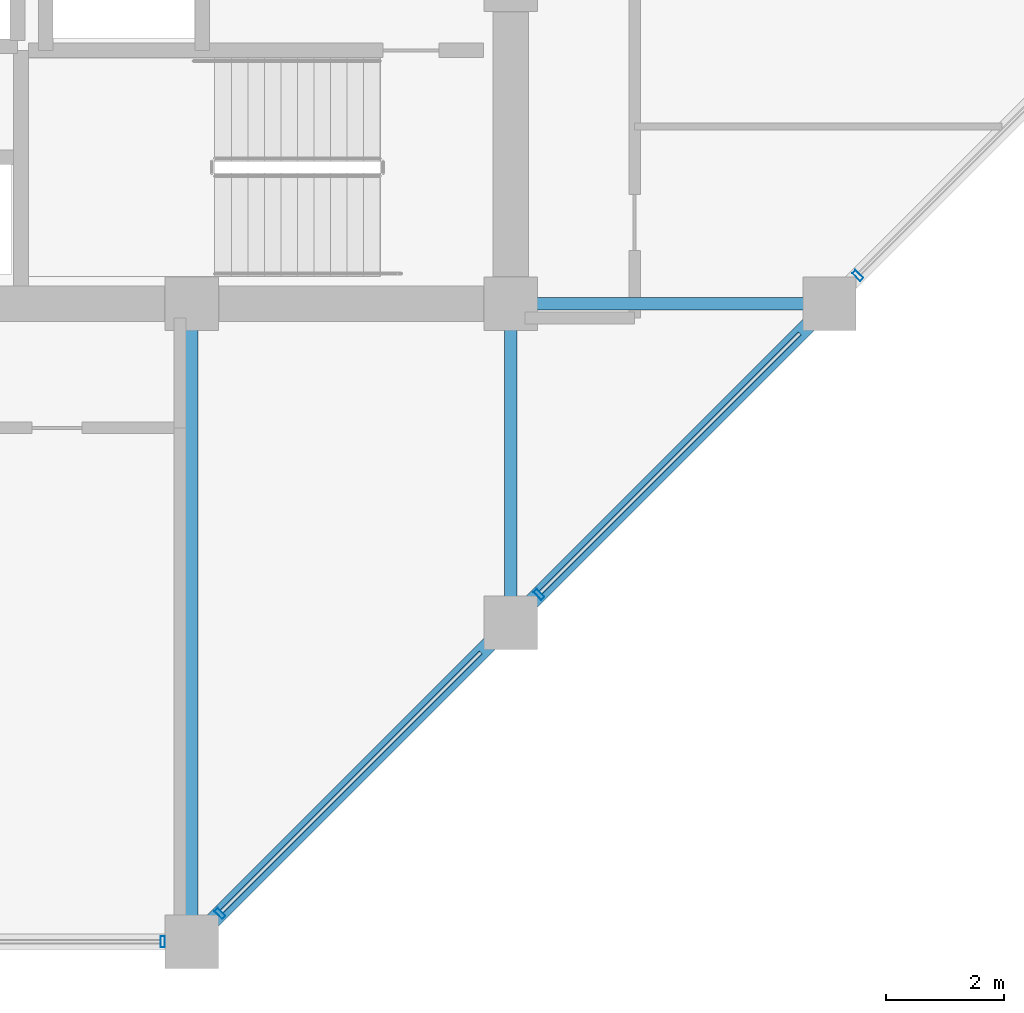
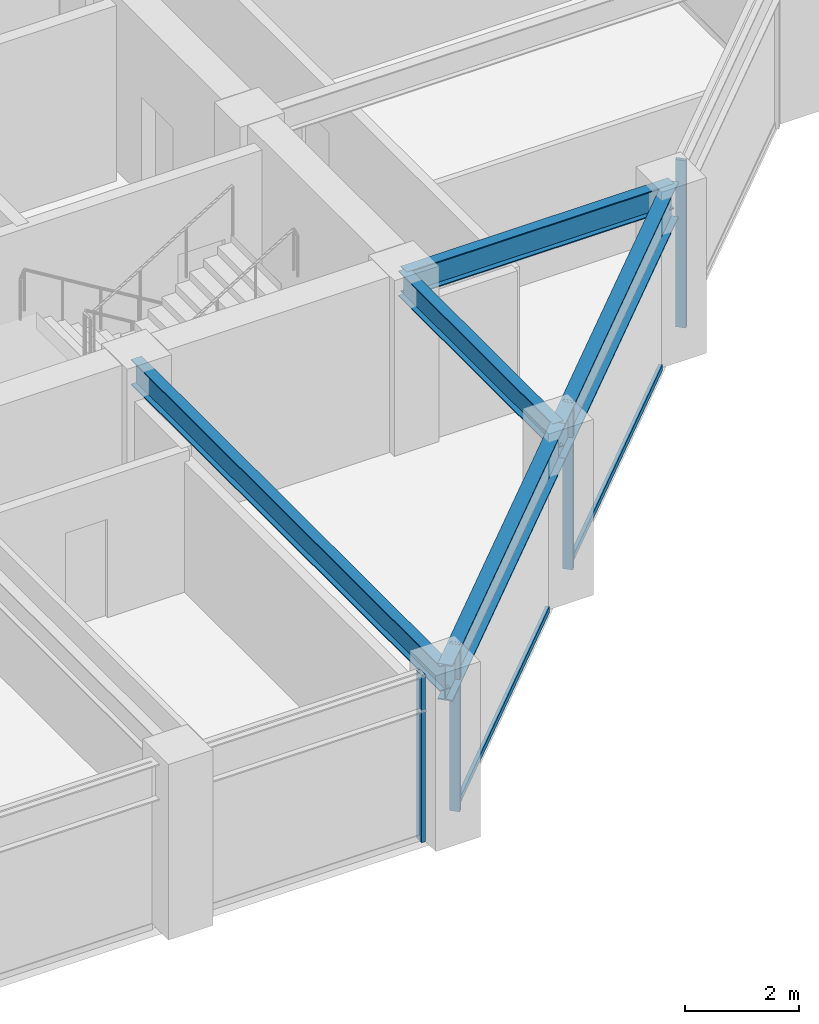
# One storey, part 12 of 32: 6 members, 5 beams, 2 elements without a shape of their own.
"""IFC4 building model written with IfcOpenShell, lengths in metres."""

import ifcopenshell
import ifcopenshell.guid

model = None  # the IFC model being written
_history = None  # IfcOwnerHistory: only IFC2X3 demands one
_inside = {}  # id of a spatial element -> (the spatial element, [elements in it])
_under = {}  # id of a project, library or spatial element -> (it, [spatial elements below it])
_declared = {}  # id of a project -> (the project, [libraries it declares])
_typed = {}  # id of a type object -> (the type object, [elements of that type])
_made_of = {}  # id of a material, layer set ... -> (it, [elements and type objects made of it])


def new_model(schema):
    """Start an empty IFC model of exactly this schema.

    Asked for "IFC4X3", IfcOpenShell would pick the latest addendum, in which some entities
    have other attributes; the version numbers below select the first issue.
    IFC2X3 requires an IfcOwnerHistory on every rooted entity: one is made here for all.
    """
    global model, _history
    if schema == "IFC4X3":
        model = ifcopenshell.file(schema_version=(4, 3, 0, 0))
    else:
        model = ifcopenshell.file(schema=schema)
    _inside.clear()
    _under.clear()
    _declared.clear()
    _typed.clear()
    _made_of.clear()
    _history = None
    if model.schema == "IFC2X3":
        org = make("IfcOrganization", Name="unknown")
        user = make(
            "IfcPersonAndOrganization",
            ThePerson=make("IfcPerson", FamilyName="unknown"),
            TheOrganization=org,
        )
        app = make(
            "IfcApplication",
            ApplicationDeveloper=org,
            Version="unknown",
            ApplicationFullName="unknown",
            ApplicationIdentifier="unknown",
        )
        _history = make(
            "IfcOwnerHistory",
            OwningUser=user,
            OwningApplication=app,
            ChangeAction="ADDED",
            CreationDate=0,
        )
    return model


def make(cls, **values):
    """One entity of the class cls with the attributes given. An attribute that is None is left unset."""
    return model.create_entity(
        cls, **{name: value for name, value in values.items() if value is not None}
    )


def rooted(cls, **values):
    """An entity with a GlobalId (a new one), such as an element, a storey or a relation."""
    return make(cls, GlobalId=ifcopenshell.guid.new(), OwnerHistory=_history, **values)


def si_unit(unit_type, name, prefix=None):
    """IfcSIUnit, for example si_unit("LENGTHUNIT", "METRE", prefix="MILLI")."""
    return make("IfcSIUnit", UnitType=unit_type, Prefix=prefix, Name=name)


def assignment(units):
    """IfcUnitAssignment: the units of a project."""
    return None if units is None else make("IfcUnitAssignment", Units=units)


def point(xyz):
    """IfcCartesianPoint."""
    return None if xyz is None else make("IfcCartesianPoint", Coordinates=xyz)


def direction(xyz):
    """IfcDirection."""
    return None if xyz is None else make("IfcDirection", DirectionRatios=xyz)


def frame(location, z_axis=None, x_axis=None):
    """IfcAxis2Placement3D, a coordinate frame: its origin and axes. An axis left out is left unset."""
    return make(
        "IfcAxis2Placement3D",
        Location=point(location),
        Axis=direction(z_axis),
        RefDirection=direction(x_axis),
    )


def frame_2d(location, x_axis=None):
    """IfcAxis2Placement2D, a coordinate frame in the plane: its origin and x axis."""
    return make(
        "IfcAxis2Placement2D", Location=point(location), RefDirection=direction(x_axis)
    )


def origin():
    """The frame at (0, 0, 0) with its axes left unset."""
    return frame((0.0, 0.0, 0.0))


def origin_2d():
    """The frame at (0, 0) in the plane with its x axis left unset."""
    return frame_2d((0.0, 0.0))


def place(relative_to, where):
    """IfcLocalPlacement: puts the frame where relative to a parent placement (None: the world)."""
    return make(
        "IfcLocalPlacement", PlacementRelTo=relative_to, RelativePlacement=where
    )


def context(
    kind, dimensions, precision=None, world=None, true_north=None, identifier=None
):
    """IfcGeometricRepresentationContext, for example the 3D "Model" context."""
    return make(
        "IfcGeometricRepresentationContext",
        ContextIdentifier=identifier,
        ContextType=kind,
        CoordinateSpaceDimension=dimensions,
        Precision=precision,
        WorldCoordinateSystem=world,
        TrueNorth=true_north,
    )


def subcontext(parent, identifier, kind, view, scale=None):
    """IfcGeometricRepresentationSubContext, for example "Body" below "Model"."""
    return make(
        "IfcGeometricRepresentationSubContext",
        ContextIdentifier=identifier,
        ContextType=kind,
        ParentContext=parent,
        TargetScale=scale,
        TargetView=view,
    )


def project(units=None, contexts=None):
    """IfcProject with its units and contexts."""
    return rooted(
        "IfcProject",
        Name="project",
        RepresentationContexts=contexts,
        UnitsInContext=assignment(units),
    )


def spatial(cls, under=None, at=None, **own):
    """A site, building, storey or space (cls), placed at a placement, below another one or the project."""
    s = rooted(cls, ObjectPlacement=at, **own)
    if under is not None:
        _under.setdefault(under.id(), (under, []))[1].append(s)
    return s


def profile(cls, at=None, kind="AREA", **sizes):
    """A parametric profile (cls). Its sizes go by their IFC names, for example OverallWidth=200.0."""
    return make(cls, ProfileType=kind, Position=at, **sizes)


def hollow_rectangle(**sizes):
    """IfcRectangleHollowProfileDef."""
    return profile("IfcRectangleHollowProfileDef", **sizes)


def i_section(**sizes):
    """IfcIShapeProfileDef."""
    return profile("IfcIShapeProfileDef", **sizes)


def extrude(swept, where, along, depth):
    """IfcExtrudedAreaSolid: the profile swept, set in the frame where, extruded along a direction by depth."""
    return make(
        "IfcExtrudedAreaSolid",
        SweptArea=swept,
        Position=where,
        ExtrudedDirection=direction(along),
        Depth=depth,
    )


def shape(context_of_items, identifier, shape_type, items):
    """IfcShapeRepresentation: the items that make up one representation, for example the "Body"."""
    return make(
        "IfcShapeRepresentation",
        ContextOfItems=context_of_items,
        RepresentationIdentifier=identifier,
        RepresentationType=shape_type,
        Items=items,
    )


def material(Name=None, Category=None):
    """IfcMaterial."""
    return make("IfcMaterial", Name=Name, Category=Category)


def layer(
    of_material, thickness, ventilated=None, Name=None, Category=None, Priority=None
):
    """IfcMaterialLayer: one layer of a wall or slab, of a material (None: an air gap)."""
    return make(
        "IfcMaterialLayer",
        Material=of_material,
        LayerThickness=thickness,
        IsVentilated=ventilated,
        Name=Name,
        Category=Category,
        Priority=Priority,
    )


def layer_set(layers, Name=None):
    """IfcMaterialLayerSet."""
    return make("IfcMaterialLayerSet", MaterialLayers=layers, LayerSetName=Name)


def material_profile(
    of_material, cross_section, Name=None, Category=None, Priority=None
):
    """IfcMaterialProfile: a cross section and its material."""
    return make(
        "IfcMaterialProfile",
        Name=Name,
        Material=of_material,
        Profile=cross_section,
        Priority=Priority,
        Category=Category,
    )


def profile_set(profiles, Name=None, composite=None):
    """IfcMaterialProfileSet."""
    return make(
        "IfcMaterialProfileSet",
        Name=Name,
        MaterialProfiles=profiles,
        CompositeProfile=composite,
    )


def made_of(thing, what):
    """Note that an element or type object is made of a material, layer set ...; save() writes the relation."""
    if what is not None:
        _made_of.setdefault(what.id(), (what, []))[1].append(thing)
    return thing


def type_object(cls, material=None, **own):
    """A type object (cls), such as IfcWallType, which elements share."""
    return made_of(rooted(cls, **own), material)


def element(
    cls,
    number,
    at=None,
    inside=None,
    cuts=None,
    type_object=None,
    material=None,
    context=None,
    identifier="Body",
    shape_type=None,
    held_by="IfcProductDefinitionShape",
    body=None,
    shapes=None,
    **own,
):
    """One element of the class cls, such as IfcWall. Its Tag is "e" and its number.

    at: its placement. inside: the storey or other place that contains it. cuts: it is an
    opening in that element (IfcRelVoidsElement). A single representation is given by context,
    identifier, shape_type and body (its items); several are given by shapes. held_by: the class
    of the entity that holds the representations. save() writes the other relations.
    """
    e = rooted(cls, Tag="e%d" % number, ObjectPlacement=at, **own)
    if body is not None:
        shapes = [shape(context, identifier, shape_type, body)]
    if shapes is not None:
        e.Representation = make(held_by, Representations=shapes)
    if inside is not None:
        _inside.setdefault(inside.id(), (inside, []))[1].append(e)
    if cuts is not None:
        rooted(
            "IfcRelVoidsElement", RelatingBuildingElement=cuts, RelatedOpeningElement=e
        )
    if type_object is not None:
        _typed.setdefault(type_object.id(), (type_object, []))[1].append(e)
    return made_of(e, material)


def aggregate(whole, parts):
    """IfcRelAggregates: a whole, such as a stair, and the parts it consists of."""
    return rooted("IfcRelAggregates", RelatingObject=whole, RelatedObjects=parts)


def save(model, path):
    """Write the relations noted so far, then the file.

    IfcRelAggregates (storeys below a building ...), IfcRelContainedInSpatialStructure (elements
    in a storey), IfcRelDefinesByType, IfcRelAssociatesMaterial and IfcRelDeclares: one each for
    every whole, place, type object, material and project.
    """
    for whole, parts in _under.values():
        aggregate(whole, parts)
    for where, things in _inside.values():
        rooted(
            "IfcRelContainedInSpatialStructure",
            RelatedElements=things,
            RelatingStructure=where,
        )
    for kind, things in _typed.values():
        rooted("IfcRelDefinesByType", RelatedObjects=things, RelatingType=kind)
    for what, things in _made_of.values():
        rooted("IfcRelAssociatesMaterial", RelatedObjects=things, RelatingMaterial=what)
    for by, libraries in _declared.values():
        rooted("IfcRelDeclares", RelatingContext=by, RelatedDefinitions=libraries)
    model.write(path)


model = new_model("IFC4")

# Units and contexts
model_context = context("Model", 3, precision=1e-05, world=origin(), true_north=direction((0.0, 1.0)))
body_context = subcontext(model_context, "Body", "Model", "MODEL_VIEW")
ifc_project = project(units=[si_unit("LENGTHUNIT", "METRE"), si_unit("AREAUNIT", "SQUARE_METRE"), si_unit("VOLUMEUNIT", "CUBIC_METRE"), si_unit("PLANEANGLEUNIT", "RADIAN"), si_unit("MASSUNIT", "GRAM", prefix="KILO")], contexts=[model_context])

# Site, building, storey
site_placement = place(None, origin())
site = spatial("IfcSite", under=ifc_project, at=site_placement, CompositionType="ELEMENT")
building_placement = place(site_placement, origin())
building = spatial("IfcBuilding", under=site, at=building_placement, Name="Surkhivell Harbour Commons", CompositionType="ELEMENT")
storey_placement = place(building_placement, frame((0.0, 0.0, 189.75)))
storey = spatial("IfcBuildingStorey", under=building, at=storey_placement, Name="L49", CompositionType="ELEMENT", Elevation=189.75)

# Beams
ifc_material_1 = material(Name="Steel S355", Category="steel")
ifc_material_profile_1 = material_profile(ifc_material_1, i_section(OverallWidth=0.2119140625, OverallDepth=0.5439453125, WebThickness=0.0126953125, FlangeThickness=0.021240234375, at=origin_2d()), Name="UB533x210x122")
ifc_profile_set_1 = profile_set([ifc_material_profile_1], Name="Steel S355")
beam_type_1 = type_object("IfcBeamType", Name="BM-GRD-533A", PredefinedType="BEAM", material=ifc_profile_set_1)
beam_1_placement = place(storey_placement, frame((5.39990234375, -21.60009765625, 3.298095703125), z_axis=(0.0, 1.0, 0.0), x_axis=(-1.0, 0.0, 0.0)))
element("IfcBeam", 1, at=beam_1_placement, inside=storey, type_object=beam_type_1, Name="L49 Floor Girder (5.4,-21.6)", PredefinedType="BEAM", context=body_context, shape_type="SweptSolid", body=[
    extrude(i_section(OverallWidth=0.2119140625, OverallDepth=0.5439453125, WebThickness=0.0126953125, FlangeThickness=0.021240234375, at=origin_2d()), origin(), (0.0, 0.0, 1.0), 10.800048828125),
])
for number, where, z_axis, x_axis, name in (
    (2, (10.800048828125, -16.199951171875, 3.298095703125), (0.0, 1.0, 0.0), (-1.0, 0.0, 0.0), "L49 Floor Girder (10.8,-16.2)"),
    (3, (10.800048828125, -10.800048828125, 3.298095703125), (1.0, 0.0, 0.0), (0.0, 1.0, 0.0), "L49 Floor Girder (10.8,-10.8)"),
):
    element("IfcBeam", number, at=place(storey_placement, frame(where, z_axis=z_axis, x_axis=x_axis)), inside=storey, type_object=beam_type_1, Name=name, PredefinedType="BEAM", context=body_context, shape_type="SweptSolid", body=[
        extrude(i_section(OverallWidth=0.2119140625, OverallDepth=0.5439453125, WebThickness=0.0126953125, FlangeThickness=0.021240234375, at=origin_2d()), origin(), (0.0, 0.0, 1.0), 5.39990234375),
    ])
ifc_material_profile_2 = material_profile(ifc_material_1, i_section(OverallWidth=0.26806640625, OverallDepth=0.77001953125, WebThickness=0.015625, FlangeThickness=0.025390625, at=origin_2d()), Name="UB762x267x197")
ifc_profile_set_2 = profile_set([ifc_material_profile_2], Name="Steel S355")
beam_type_2 = type_object("IfcBeamType", Name="BM-SPN-762", PredefinedType="SPANDREL", material=ifc_profile_set_2)
beam_2_placement = place(storey_placement, frame((5.39990234375, -21.60009765625, 3.18505859375), z_axis=(0.707106781187, 0.707106781187, 0.0), x_axis=(-0.707106781187, 0.707106781187, 0.0)))
element("IfcBeam", 4, at=beam_2_placement, inside=storey, type_object=beam_type_2, Name="L49 Tube Spandrel (5.4,-21.6)", PredefinedType="SPANDREL", context=body_context, shape_type="SweptSolid", body=[
    extrude(i_section(OverallWidth=0.26806640625, OverallDepth=0.77001953125, WebThickness=0.015625, FlangeThickness=0.025390625, at=origin_2d()), origin(), (0.0, 0.0, 1.0), 7.636962890625),
])
beam_3_placement = place(storey_placement, frame((10.800048828125, -16.199951171875, 3.18505859375), z_axis=(0.707106781187, 0.707106781187, 0.0), x_axis=(-0.707106781187, 0.707106781187, 0.0)))
element("IfcBeam", 5, at=beam_3_placement, inside=storey, type_object=beam_type_2, Name="L49 Tube Spandrel (10.8,-16.2)", PredefinedType="SPANDREL", context=body_context, shape_type="SweptSolid", body=[
    extrude(i_section(OverallWidth=0.26806640625, OverallDepth=0.77001953125, WebThickness=0.015625, FlangeThickness=0.025390625, at=origin_2d()), origin(), (0.0, 0.0, 1.0), 7.63671875),
])

# Curtain wall, member
ifc_material_2 = material(Name="Anodised pale-metal aluminium and insulated glazing", Category="aluminium")
ifc_layer = layer(ifc_material_2, 0.18994140625)
ifc_layer_set = layer_set([ifc_layer], Name="Anodised pale-metal aluminium and insulated glazing")
curtain_wall_type = type_object("IfcCurtainWallType", Name="CW-SYS-Z3", PredefinedType="NOTDEFINED", material=ifc_layer_set)
curtain_wall_1_placement = place(storey_placement, origin())
curtain_wall_1 = element("IfcCurtainWall", 6, at=curtain_wall_1_placement, inside=storey, type_object=curtain_wall_type, Name="L49 Curtain Wall CW-L49-E00S2", PredefinedType="NOTDEFINED")
ifc_material_3 = material(Name="Anodised pale-metal aluminium alloy 6063-T6", Category="aluminium")
ifc_material_profile_3 = material_profile(ifc_material_3, hollow_rectangle(XDim=0.074951171875, YDim=0.18994140625, WallThickness=0.00390625, at=origin_2d()), Name="ALU-MULL-75x190")
ifc_profile_set_3 = profile_set([ifc_material_profile_3], Name="Anodised pale-metal aluminium alloy 6063-T6")
member_type_1 = type_object("IfcMemberType", Name="CWM-190", PredefinedType="MULLION", material=ifc_profile_set_3)
member_1_placement = place(storey_placement, frame((4.910400390625, -21.60009765625, 0.0), z_axis=(0.0, 0.0, 1.0), x_axis=(1.0, 0.0, 0.0)))
member_1 = element("IfcMember", 7, at=member_1_placement, type_object=member_type_1, Name="CW-Z3 mullion 3", PredefinedType="MULLION", context=body_context, shape_type="SweptSolid", body=[
    extrude(hollow_rectangle(XDim=0.074951171875, YDim=0.18994140625, WallThickness=0.00390625, at=origin_2d()), origin(), (0.0, 0.0, 1.0), 3.570068359375),
])
aggregate(curtain_wall_1, [member_1])

# Curtain wall, members
curtain_wall_2_placement = place(storey_placement, origin())
curtain_wall_2 = element("IfcCurtainWall", 8, at=curtain_wall_2_placement, inside=storey, type_object=curtain_wall_type, Name="L49 Curtain Wall CW-L49-E01", PredefinedType="NOTDEFINED")
member_2_placement = place(storey_placement, frame((5.878173828125, -21.121826171875, 0.0), z_axis=(0.0, 0.0, 1.0), x_axis=(0.707106781187, 0.707106781187, 0.0)))
member_2 = element("IfcMember", 9, at=member_2_placement, type_object=member_type_1, Name="CW-Z3 mullion 1", PredefinedType="MULLION", context=body_context, shape_type="SweptSolid", body=[
    extrude(hollow_rectangle(XDim=0.074951171875, YDim=0.18994140625, WallThickness=0.00390625, at=origin_2d()), origin(), (0.0, 0.0, 1.0), 3.570068359375),
])
member_3_placement = place(storey_placement, frame((11.278076171875, -15.721923828125, 0.0), z_axis=(0.0, 0.0, 1.0), x_axis=(0.707106781187, 0.707106781187, 0.0)))
member_3 = element("IfcMember", 10, at=member_3_placement, type_object=member_type_1, Name="CW-Z3 mullion 2", PredefinedType="MULLION", context=body_context, shape_type="SweptSolid", body=[
    extrude(hollow_rectangle(XDim=0.074951171875, YDim=0.18994140625, WallThickness=0.00390625, at=origin_2d()), origin(), (0.0, 0.0, 1.0), 3.570068359375),
])
member_4_placement = place(storey_placement, frame((16.67822265625, -10.32177734375, 0.0), z_axis=(0.0, 0.0, 1.0), x_axis=(0.707106781187, 0.707106781187, 0.0)))
member_4 = element("IfcMember", 11, at=member_4_placement, type_object=member_type_1, Name="CW-Z3 mullion 3", PredefinedType="MULLION", context=body_context, shape_type="SweptSolid", body=[
    extrude(hollow_rectangle(XDim=0.074951171875, YDim=0.18994140625, WallThickness=0.00390625, at=origin_2d()), origin(), (0.0, 0.0, 1.0), 3.570068359375),
])
ifc_material_4 = material(Name="Champagne anodised aluminium alloy 6063-T6", Category="aluminium")
ifc_material_profile_4 = material_profile(ifc_material_4, hollow_rectangle(XDim=0.070068359375, YDim=0.1298828125, WallThickness=0.00341796875, at=origin_2d()), Name="ALU-TRAN-70x130")
ifc_profile_set_4 = profile_set([ifc_material_profile_4], Name="Champagne anodised aluminium alloy 6063-T6")
member_type_2 = type_object("IfcMemberType", Name="CWT-130", PredefinedType="USERDEFINED", material=ifc_profile_set_4)
member_5_placement = place(storey_placement, frame((5.90478515625, -21.09521484375, 0.06494140625), z_axis=(0.707106781187, 0.707106781187, 0.0), x_axis=(-0.707106781187, 0.707106781187, 0.0)))
member_5 = element("IfcMember", 12, at=member_5_placement, type_object=member_type_2, Name="CW-Z3 transom 1.1", ObjectType="TRANSOM", PredefinedType="USERDEFINED", context=body_context, shape_type="SweptSolid", body=[
    extrude(hollow_rectangle(XDim=0.070068359375, YDim=0.1298828125, WallThickness=0.00341796875, at=origin_2d()), origin(), (0.0, 0.0, 1.0), 6.209228515625),
])
member_6_placement = place(storey_placement, frame((11.3046875, -15.6953125, 0.06494140625), z_axis=(0.707106781187, 0.707106781187, 0.0), x_axis=(-0.707106781187, 0.707106781187, 0.0)))
member_6 = element("IfcMember", 13, at=member_6_placement, type_object=member_type_2, Name="CW-Z3 transom 2.1", ObjectType="TRANSOM", PredefinedType="USERDEFINED", context=body_context, shape_type="SweptSolid", body=[
    extrude(hollow_rectangle(XDim=0.070068359375, YDim=0.1298828125, WallThickness=0.00341796875, at=origin_2d()), origin(), (0.0, 0.0, 1.0), 6.209228515625),
])
aggregate(curtain_wall_2, [member_2, member_5, member_3, member_6, member_4])

save(model, "model.ifc")
